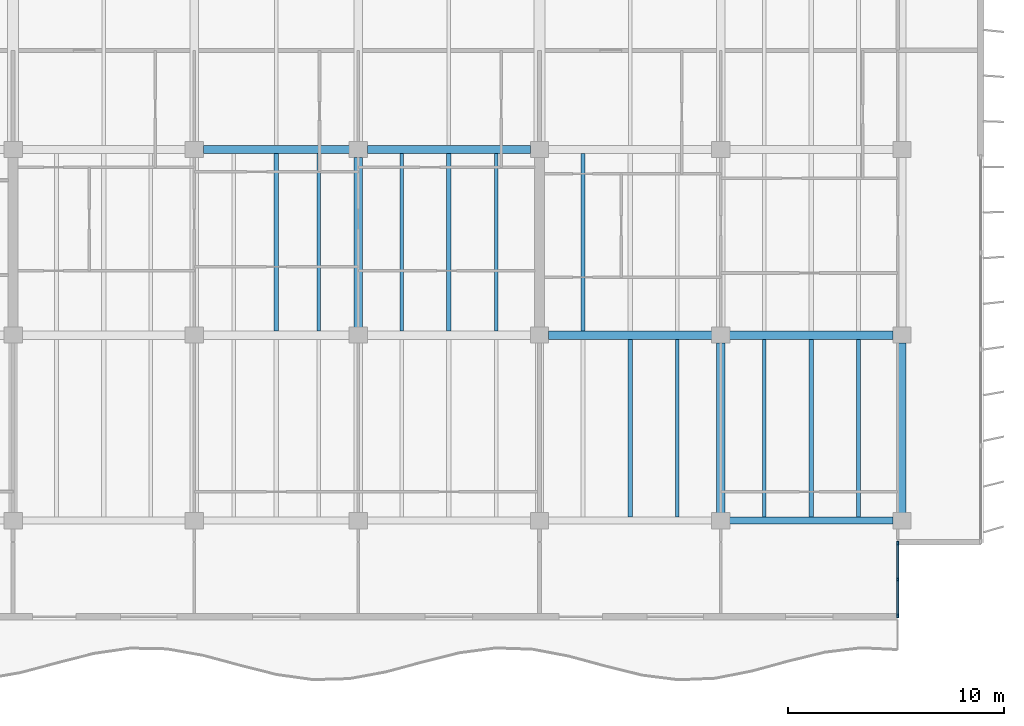
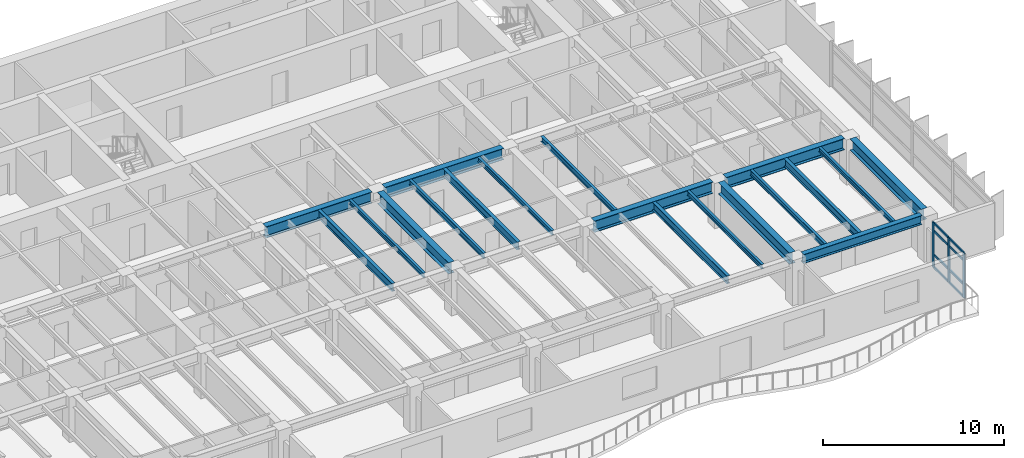
# One storey, part 4 of 17: 19 beams, 11 members, 1 element without a shape of its own.
"""IFC4 building model written with IfcOpenShell, lengths in metres."""

from ifc_helpers import new_model, si_unit, direction, frame, origin, origin_2d, place, context, subcontext, project, spatial, rectangle, i_section, extrude, material, layer, layer_set, material_profile, profile_set, type_object, element, aggregate, save


model = new_model("IFC4")

# Units and contexts
model_context = context("Model", 3, precision=1e-05, world=origin(), true_north=direction((0.0, 1.0)))
body_context = subcontext(model_context, "Body", "Model", "MODEL_VIEW")
ifc_project = project(units=[si_unit("LENGTHUNIT", "METRE"), si_unit("AREAUNIT", "SQUARE_METRE"), si_unit("VOLUMEUNIT", "CUBIC_METRE"), si_unit("PLANEANGLEUNIT", "RADIAN"), si_unit("MASSUNIT", "GRAM", prefix="KILO")], contexts=[model_context])

# Site, building, storey
site_placement = place(None, origin())
site = spatial("IfcSite", under=ifc_project, at=site_placement, CompositionType="ELEMENT")
building_placement = place(site_placement, origin())
building = spatial("IfcBuilding", under=site, at=building_placement, Name="Caelmar Bay Residences", CompositionType="ELEMENT")
storey_placement = place(building_placement, frame((0.0, 0.0, 204.89990234375)))
storey = spatial("IfcBuildingStorey", under=building, at=storey_placement, Name="L57", CompositionType="ELEMENT", Elevation=204.89990234375)

# Beams
ifc_material_1 = material(Name="Steel ASTM A992 Grade 50", Category="steel")
ifc_material_profile_1 = material_profile(ifc_material_1, i_section(OverallWidth=0.381103515625, OverallDepth=0.77197265625, WebThickness=0.0166015625, FlangeThickness=0.027099609375, FilletRadius=0.0166015625, at=origin_2d()), Name="W30X173")
ifc_profile_set_1 = profile_set([ifc_material_profile_1], Name="Steel ASTM A992 Grade 50")
beam_type_1 = type_object("IfcBeamType", Name="BM-GRD-W30X173", PredefinedType="BEAM", material=ifc_profile_set_1)
for number, where, z_axis, x_axis, name in (
    (1, (51.514892578125, 20.800048828125, 2.6640625), (1.0, 0.0, 0.0), (0.0, 1.0, 0.0), "L57 East-West Girder Y=20.80 (51.1-59.5)"),
    (2, (59.9150390625, 20.800048828125, 2.6640625), (1.0, 0.0, 0.0), (0.0, 1.0, 0.0), "L57 East-West Girder Y=20.80 (59.5-67.9)"),
):
    element("IfcBeam", number, at=place(storey_placement, frame(where, z_axis=z_axis, x_axis=x_axis)), inside=storey, type_object=beam_type_1, Name=name, PredefinedType="BEAM", context=body_context, shape_type="SweptSolid", body=[
        extrude(i_section(OverallWidth=0.381103515625, OverallDepth=0.77197265625, WebThickness=0.0166015625, FlangeThickness=0.027099609375, FilletRadius=0.0166015625, at=origin_2d()), origin(), (0.0, 0.0, 1.0), 7.570068359375),
    ])
beam_1_placement = place(storey_placement, frame((35.514892578125, 29.39990234375, 2.6640625), z_axis=(1.0, 0.0, 0.0), x_axis=(0.0, 1.0, 0.0)))
element("IfcBeam", 3, at=beam_1_placement, inside=storey, type_object=beam_type_1, Name="L57 East-West Girder Y=29.40 (35.1-42.7)", PredefinedType="BEAM", context=body_context, shape_type="SweptSolid", body=[
    extrude(i_section(OverallWidth=0.381103515625, OverallDepth=0.77197265625, WebThickness=0.0166015625, FlangeThickness=0.027099609375, FilletRadius=0.0166015625, at=origin_2d()), origin(), (0.0, 0.0, 1.0), 6.77001953125),
])
beam_2_placement = place(storey_placement, frame((43.114990234375, 29.39990234375, 2.6640625), z_axis=(1.0, 0.0, 0.0), x_axis=(0.0, 1.0, 0.0)))
element("IfcBeam", 4, at=beam_2_placement, inside=storey, type_object=beam_type_1, Name="L57 East-West Girder Y=29.40 (42.7-51.1)", PredefinedType="BEAM", context=body_context, shape_type="SweptSolid", body=[
    extrude(i_section(OverallWidth=0.381103515625, OverallDepth=0.77197265625, WebThickness=0.0166015625, FlangeThickness=0.027099609375, FilletRadius=0.0166015625, at=origin_2d()), origin(), (0.0, 0.0, 1.0), 7.570068359375),
])
beam_3_placement = place(storey_placement, frame((42.699951171875, 21.1650390625, 2.6640625), z_axis=(0.0, 1.0, 0.0), x_axis=(-1.0, 0.0, 0.0)))
element("IfcBeam", 5, at=beam_3_placement, inside=storey, type_object=beam_type_1, Name="L57 North-South Girder X=42.70 (20.8-29.4)", PredefinedType="BEAM", context=body_context, shape_type="SweptSolid", body=[
    extrude(i_section(OverallWidth=0.381103515625, OverallDepth=0.77197265625, WebThickness=0.0166015625, FlangeThickness=0.027099609375, FilletRadius=0.0166015625, at=origin_2d()), origin(), (0.0, 0.0, 1.0), 7.869873046875),
])
for number, where, z_axis, x_axis, name in (
    (6, (59.5, 12.56494140625, 2.6640625), (0.0, 1.0, 0.0), (-1.0, 0.0, 0.0), "L57 North-South Girder X=59.50 (12.2-20.8)"),
    (7, (67.89990234375, 12.56494140625, 2.6640625), (0.0, 1.0, 0.0), (-1.0, 0.0, 0.0), "L57 North-South Girder X=67.90 (12.2-20.8)"),
):
    element("IfcBeam", number, at=place(storey_placement, frame(where, z_axis=z_axis, x_axis=x_axis)), inside=storey, type_object=beam_type_1, Name=name, PredefinedType="BEAM", context=body_context, shape_type="SweptSolid", body=[
        extrude(i_section(OverallWidth=0.381103515625, OverallDepth=0.77197265625, WebThickness=0.0166015625, FlangeThickness=0.027099609375, FilletRadius=0.0166015625, at=origin_2d()), origin(), (0.0, 0.0, 1.0), 7.8701171875),
    ])
ifc_material_profile_2 = material_profile(ifc_material_1, i_section(OverallWidth=0.1650390625, OverallDepth=0.31005859375, WebThickness=0.005859375, FlangeThickness=0.009765625, FilletRadius=0.007568359375, at=origin_2d()), Name="W12X26")
ifc_profile_set_2 = profile_set([ifc_material_profile_2], Name="Steel ASTM A992 Grade 50")
beam_type_2 = type_object("IfcBeamType", Name="BM-JST-W12X26", PredefinedType="JOIST", material=ifc_profile_set_2)
for number, where, z_axis, x_axis, name in (
    (8, (57.48388671875, 12.362548828125, 2.89501953125), (0.0, 1.0, 0.0), (-1.0, 0.0, 0.0), "L57 Composite Floor Joist 18"),
    (9, (65.884033203125, 12.362548828125, 2.89501953125), (0.0, 1.0, 0.0), (-1.0, 0.0, 0.0), "L57 Composite Floor Joist 21"),
):
    element("IfcBeam", number, at=place(storey_placement, frame(where, z_axis=z_axis, x_axis=x_axis)), inside=storey, type_object=beam_type_2, Name=name, PredefinedType="JOIST", context=body_context, shape_type="SweptSolid", body=[
        extrude(i_section(OverallWidth=0.1650390625, OverallDepth=0.31005859375, WebThickness=0.005859375, FlangeThickness=0.009765625, FilletRadius=0.007568359375, at=origin_2d()), origin(), (0.0, 0.0, 1.0), 8.2470703125),
    ])
for number, where, z_axis, x_axis, name in (
    (10, (40.8759765625, 20.990478515625, 2.89501953125), (0.0, 1.0, 0.0), (-1.0, 0.0, 0.0), "L57 Composite Floor Joist 33"),
    (11, (49.083984375, 20.990478515625, 2.89501953125), (0.0, 1.0, 0.0), (-1.0, 0.0, 0.0), "L57 Composite Floor Joist 36"),
):
    element("IfcBeam", number, at=place(storey_placement, frame(where, z_axis=z_axis, x_axis=x_axis)), inside=storey, type_object=beam_type_2, Name=name, PredefinedType="JOIST", context=body_context, shape_type="SweptSolid", body=[
        extrude(i_section(OverallWidth=0.1650390625, OverallDepth=0.31005859375, WebThickness=0.005859375, FlangeThickness=0.009765625, FilletRadius=0.007568359375, at=origin_2d()), origin(), (0.0, 0.0, 1.0), 8.218994140625),
    ])
ifc_material_profile_3 = material_profile(ifc_material_1, i_section(OverallWidth=0.1708984375, OverallDepth=0.35595703125, WebThickness=0.007080078125, FlangeThickness=0.01171875, FilletRadius=0.007568359375, at=origin_2d()), Name="W14X34")
ifc_profile_set_3 = profile_set([ifc_material_profile_3], Name="Steel ASTM A992 Grade 50")
beam_type_3 = type_object("IfcBeamType", Name="BM-JST-W14X34", PredefinedType="JOIST", material=ifc_profile_set_3)
beam_4_placement = place(storey_placement, frame((61.51611328125, 12.362548828125, 2.8720703125), z_axis=(0.0, 1.0, 0.0), x_axis=(-1.0, 0.0, 0.0)))
element("IfcBeam", 12, at=beam_4_placement, inside=storey, type_object=beam_type_3, Name="L57 Composite Floor Joist 19", PredefinedType="JOIST", context=body_context, shape_type="SweptSolid", body=[
    extrude(i_section(OverallWidth=0.1708984375, OverallDepth=0.35595703125, WebThickness=0.007080078125, FlangeThickness=0.01171875, FilletRadius=0.007568359375, at=origin_2d()), origin(), (0.0, 0.0, 1.0), 8.2470703125),
])
for number, where, z_axis, x_axis, name in (
    (13, (44.716064453125, 20.990478515625, 2.8720703125), (0.0, 1.0, 0.0), (-1.0, 0.0, 0.0), "L57 Composite Floor Joist 34"),
    (14, (53.115966796875, 20.990478515625, 2.8720703125), (0.0, 1.0, 0.0), (-1.0, 0.0, 0.0), "L57 Composite Floor Joist 37"),
):
    element("IfcBeam", number, at=place(storey_placement, frame(where, z_axis=z_axis, x_axis=x_axis)), inside=storey, type_object=beam_type_3, Name=name, PredefinedType="JOIST", context=body_context, shape_type="SweptSolid", body=[
        extrude(i_section(OverallWidth=0.1708984375, OverallDepth=0.35595703125, WebThickness=0.007080078125, FlangeThickness=0.01171875, FilletRadius=0.007568359375, at=origin_2d()), origin(), (0.0, 0.0, 1.0), 8.218994140625),
    ])
ifc_material_profile_4 = material_profile(ifc_material_1, i_section(OverallWidth=0.2099609375, OverallDepth=0.535888671875, WebThickness=0.010986328125, FlangeThickness=0.017333984375, FilletRadius=0.0126953125, at=origin_2d()), Name="W21X68")
ifc_profile_set_4 = profile_set([ifc_material_profile_4], Name="Steel ASTM A992 Grade 50")
beam_type_4 = type_object("IfcBeamType", Name="BM-JST-W21X68", PredefinedType="JOIST", material=ifc_profile_set_4)
for number, where, z_axis, x_axis, name in (
    (15, (55.300048828125, 12.362548828125, 2.781982421875), (0.0, 1.0, 0.0), (-1.0, 0.0, 0.0), "L57 Composite Floor Joist 17"),
    (16, (63.699951171875, 12.362548828125, 2.781982421875), (0.0, 1.0, 0.0), (-1.0, 0.0, 0.0), "L57 Composite Floor Joist 20"),
):
    element("IfcBeam", number, at=place(storey_placement, frame(where, z_axis=z_axis, x_axis=x_axis)), inside=storey, type_object=beam_type_4, Name=name, PredefinedType="JOIST", context=body_context, shape_type="SweptSolid", body=[
        extrude(i_section(OverallWidth=0.2099609375, OverallDepth=0.535888671875, WebThickness=0.010986328125, FlangeThickness=0.017333984375, FilletRadius=0.0126953125, at=origin_2d()), origin(), (0.0, 0.0, 1.0), 8.2470703125),
    ])
for number, where, z_axis, x_axis, name in (
    (17, (38.89990234375, 20.990478515625, 2.781982421875), (0.0, 1.0, 0.0), (-1.0, 0.0, 0.0), "L57 Composite Floor Joist 32"),
    (18, (46.89990234375, 20.990478515625, 2.781982421875), (0.0, 1.0, 0.0), (-1.0, 0.0, 0.0), "L57 Composite Floor Joist 35"),
):
    element("IfcBeam", number, at=place(storey_placement, frame(where, z_axis=z_axis, x_axis=x_axis)), inside=storey, type_object=beam_type_4, Name=name, PredefinedType="JOIST", context=body_context, shape_type="SweptSolid", body=[
        extrude(i_section(OverallWidth=0.2099609375, OverallDepth=0.535888671875, WebThickness=0.010986328125, FlangeThickness=0.017333984375, FilletRadius=0.0126953125, at=origin_2d()), origin(), (0.0, 0.0, 1.0), 8.218994140625),
    ])
ifc_material_profile_5 = material_profile(ifc_material_1, i_section(OverallWidth=0.324951171875, OverallDepth=0.616943359375, WebThickness=0.013916015625, FlangeThickness=0.021484375, FilletRadius=0.0126953125, at=origin_2d()), Name="W24X117")
ifc_profile_set_5 = profile_set([ifc_material_profile_5], Name="Steel ASTM A992 Grade 50")
beam_type_5 = type_object("IfcBeamType", Name="BM-SPN-W24X117", PredefinedType="SPANDREL", material=ifc_profile_set_5)
beam_5_placement = place(storey_placement, frame((59.9150390625, 12.199951171875, 2.74169921875), z_axis=(1.0, 0.0, 0.0), x_axis=(0.0, 1.0, 0.0)))
element("IfcBeam", 19, at=beam_5_placement, inside=storey, type_object=beam_type_5, Name="L57 East-West Girder Y=12.20 (59.5-67.9)", PredefinedType="SPANDREL", context=body_context, shape_type="SweptSolid", body=[
    extrude(i_section(OverallWidth=0.324951171875, OverallDepth=0.616943359375, WebThickness=0.013916015625, FlangeThickness=0.021484375, FilletRadius=0.0126953125, at=origin_2d()), origin(), (0.0, 0.0, 1.0), 7.570068359375),
])

# Curtain wall, members
ifc_material_2 = material(Name="Anodised bronze aluminium 6063-T6 and laminated glass", Category="aluminium")
ifc_layer = layer(ifc_material_2, 0.179931640625)
ifc_layer_set = layer_set([ifc_layer], Name="Anodised bronze aluminium 6063-T6 and laminated glass")
curtain_wall_type = type_object("IfcCurtainWallType", Name="CW6-NTC", PredefinedType="NOTDEFINED", material=ifc_layer_set)
curtain_wall_placement = place(storey_placement, origin())
curtain_wall = element("IfcCurtainWall", 20, at=curtain_wall_placement, inside=storey, type_object=curtain_wall_type, Name="CW6 curtain wall L57", PredefinedType="NOTDEFINED")
ifc_material_3 = material(Name="Anodised bronze aluminium 6063-T6", Category="aluminium")
ifc_material_profile_6 = material_profile(ifc_material_3, rectangle(XDim=0.080078125, YDim=0.179931640625, at=origin_2d()), Name="CWM-80X180")
ifc_profile_set_6 = profile_set([ifc_material_profile_6], Name="Anodised bronze aluminium 6063-T6")
member_type_1 = type_object("IfcMemberType", Name="CWM-180", PredefinedType="MULLION", material=ifc_profile_set_6)
member_1_placement = place(storey_placement, frame((67.699951171875, 7.7900390625, 0.0), z_axis=(0.0, 0.0, 1.0), x_axis=(-1.0, 0.0, 0.0)))
member_1 = element("IfcMember", 21, at=member_1_placement, type_object=member_type_1, Name="CW6 mullion 1", PredefinedType="MULLION", context=body_context, shape_type="SweptSolid", body=[
    extrude(rectangle(XDim=0.080078125, YDim=0.179931640625, at=origin_2d()), origin(), (0.0, 0.0, 1.0), 3.050048828125),
])
member_2_placement = place(storey_placement, frame((67.699951171875, 9.47509765625, 0.0), z_axis=(0.0, 0.0, 1.0), x_axis=(-1.0, 0.0, 0.0)))
member_2 = element("IfcMember", 22, at=member_2_placement, type_object=member_type_1, Name="CW6 mullion 2", PredefinedType="MULLION", context=body_context, shape_type="SweptSolid", body=[
    extrude(rectangle(XDim=0.080078125, YDim=0.179931640625, at=origin_2d()), origin(), (0.0, 0.0, 1.0), 3.050048828125),
])
member_3_placement = place(storey_placement, frame((67.699951171875, 11.159912109375, 0.0), z_axis=(0.0, 0.0, 1.0), x_axis=(-1.0, 0.0, 0.0)))
member_3 = element("IfcMember", 23, at=member_3_placement, type_object=member_type_1, Name="CW6 mullion 3", PredefinedType="MULLION", context=body_context, shape_type="SweptSolid", body=[
    extrude(rectangle(XDim=0.080078125, YDim=0.179931640625, at=origin_2d()), origin(), (0.0, 0.0, 1.0), 3.050048828125),
])
ifc_material_profile_7 = material_profile(ifc_material_3, rectangle(XDim=0.080078125, YDim=0.139892578125, at=origin_2d()), Name="CWT-80X140")
ifc_profile_set_7 = profile_set([ifc_material_profile_7], Name="Anodised bronze aluminium 6063-T6")
member_type_2 = type_object("IfcMemberType", Name="CWT-140", PredefinedType="NOTDEFINED", material=ifc_profile_set_7)
member_4_placement = place(storey_placement, frame((67.699951171875, 7.830078125, 0.0400390625), z_axis=(0.0, 1.0, 0.0), x_axis=(-1.0, 0.0, 0.0)))
member_4 = element("IfcMember", 24, at=member_4_placement, type_object=member_type_2, Name="CW6 transom 1.1", ObjectType="TRANSOM", PredefinedType="USERDEFINED", context=body_context, shape_type="SweptSolid", body=[
    extrude(rectangle(XDim=0.080078125, YDim=0.139892578125, at=origin_2d()), origin(), (0.0, 0.0, 1.0), 1.60498046875),
])
member_5_placement = place(storey_placement, frame((67.699951171875, 7.830078125, 0.900146484375), z_axis=(0.0, 1.0, 0.0), x_axis=(-1.0, 0.0, 0.0)))
member_5 = element("IfcMember", 25, at=member_5_placement, type_object=member_type_2, Name="CW6 transom 1.2", ObjectType="TRANSOM", PredefinedType="USERDEFINED", context=body_context, shape_type="SweptSolid", body=[
    extrude(rectangle(XDim=0.080078125, YDim=0.139892578125, at=origin_2d()), origin(), (0.0, 0.0, 1.0), 1.60498046875),
])
member_6_placement = place(storey_placement, frame((67.699951171875, 7.830078125, 2.5), z_axis=(0.0, 1.0, 0.0), x_axis=(-1.0, 0.0, 0.0)))
member_6 = element("IfcMember", 26, at=member_6_placement, type_object=member_type_2, Name="CW6 transom 1.3", ObjectType="TRANSOM", PredefinedType="USERDEFINED", context=body_context, shape_type="SweptSolid", body=[
    extrude(rectangle(XDim=0.080078125, YDim=0.139892578125, at=origin_2d()), origin(), (0.0, 0.0, 1.0), 1.60498046875),
])
member_7_placement = place(storey_placement, frame((67.699951171875, 7.830078125, 3.010009765625), z_axis=(0.0, 1.0, 0.0), x_axis=(-1.0, 0.0, 0.0)))
member_7 = element("IfcMember", 27, at=member_7_placement, type_object=member_type_2, Name="CW6 transom 1.4", ObjectType="TRANSOM", PredefinedType="USERDEFINED", context=body_context, shape_type="SweptSolid", body=[
    extrude(rectangle(XDim=0.080078125, YDim=0.139892578125, at=origin_2d()), origin(), (0.0, 0.0, 1.0), 1.60498046875),
])
member_8_placement = place(storey_placement, frame((67.699951171875, 9.514892578125, 0.0400390625), z_axis=(0.0, 1.0, 0.0), x_axis=(-1.0, 0.0, 0.0)))
member_8 = element("IfcMember", 28, at=member_8_placement, type_object=member_type_2, Name="CW6 transom 2.1", ObjectType="TRANSOM", PredefinedType="USERDEFINED", context=body_context, shape_type="SweptSolid", body=[
    extrude(rectangle(XDim=0.080078125, YDim=0.139892578125, at=origin_2d()), origin(), (0.0, 0.0, 1.0), 1.605224609375),
])
member_9_placement = place(storey_placement, frame((67.699951171875, 9.514892578125, 0.900146484375), z_axis=(0.0, 1.0, 0.0), x_axis=(-1.0, 0.0, 0.0)))
member_9 = element("IfcMember", 29, at=member_9_placement, type_object=member_type_2, Name="CW6 transom 2.2", ObjectType="TRANSOM", PredefinedType="USERDEFINED", context=body_context, shape_type="SweptSolid", body=[
    extrude(rectangle(XDim=0.080078125, YDim=0.139892578125, at=origin_2d()), origin(), (0.0, 0.0, 1.0), 1.605224609375),
])
member_10_placement = place(storey_placement, frame((67.699951171875, 9.514892578125, 2.5), z_axis=(0.0, 1.0, 0.0), x_axis=(-1.0, 0.0, 0.0)))
member_10 = element("IfcMember", 30, at=member_10_placement, type_object=member_type_2, Name="CW6 transom 2.3", ObjectType="TRANSOM", PredefinedType="USERDEFINED", context=body_context, shape_type="SweptSolid", body=[
    extrude(rectangle(XDim=0.080078125, YDim=0.139892578125, at=origin_2d()), origin(), (0.0, 0.0, 1.0), 1.605224609375),
])
member_11_placement = place(storey_placement, frame((67.699951171875, 9.514892578125, 3.010009765625), z_axis=(0.0, 1.0, 0.0), x_axis=(-1.0, 0.0, 0.0)))
member_11 = element("IfcMember", 31, at=member_11_placement, type_object=member_type_2, Name="CW6 transom 2.4", ObjectType="TRANSOM", PredefinedType="USERDEFINED", context=body_context, shape_type="SweptSolid", body=[
    extrude(rectangle(XDim=0.080078125, YDim=0.139892578125, at=origin_2d()), origin(), (0.0, 0.0, 1.0), 1.605224609375),
])
aggregate(curtain_wall, [member_1, member_2, member_3, member_4, member_5, member_6, member_7, member_8, member_9, member_10, member_11])

save(model, "model.ifc")
